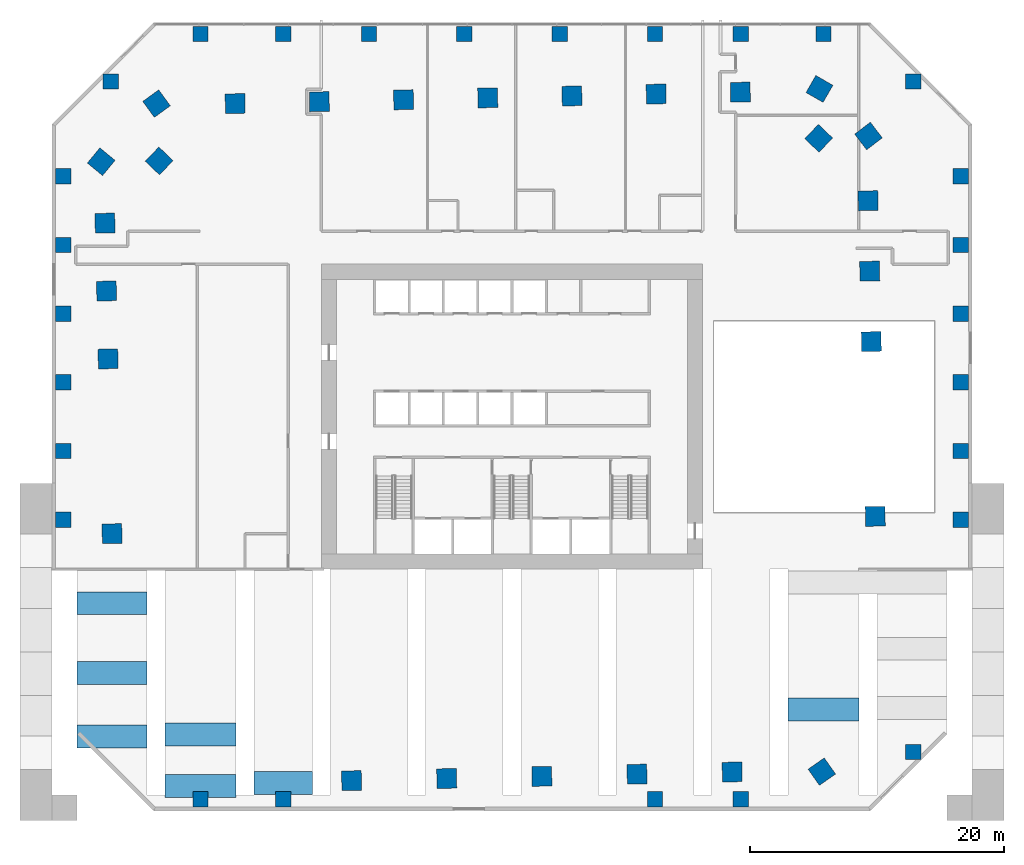
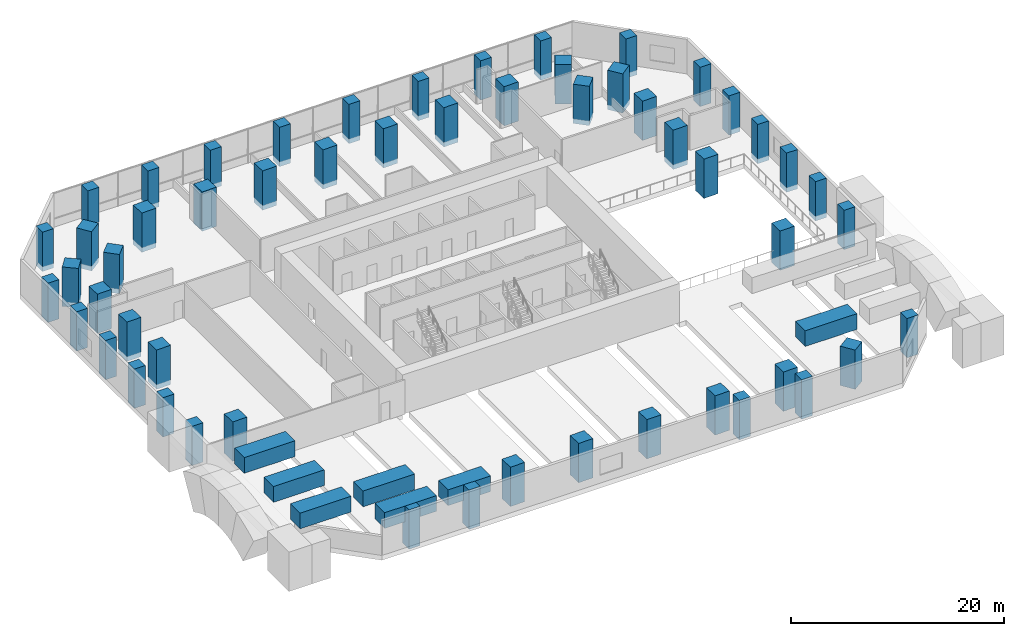
# One storey, part 1 of 13: 54 columns, 7 beams.
"""IFC4 building model written with IfcOpenShell, lengths in metres."""

from ifc_helpers import new_model, si_unit, direction, frame, origin, origin_2d, place, context, subcontext, project, spatial, rectangle, extrude, material, material_profile, profile_set, type_object, element, save


model = new_model("IFC4")

# Units and contexts
model_context = context("Model", 3, precision=1e-05, world=origin(), true_north=direction((0.0, 1.0)))
body_context = subcontext(model_context, "Body", "Model", "MODEL_VIEW")
ifc_project = project(units=[si_unit("LENGTHUNIT", "METRE"), si_unit("AREAUNIT", "SQUARE_METRE"), si_unit("VOLUMEUNIT", "CUBIC_METRE"), si_unit("PLANEANGLEUNIT", "RADIAN"), si_unit("MASSUNIT", "GRAM", prefix="KILO")], contexts=[model_context])

# Site, building, storey
site_placement = place(None, origin())
site = spatial("IfcSite", under=ifc_project, at=site_placement, CompositionType="ELEMENT")
building_placement = place(site_placement, origin())
building = spatial("IfcBuilding", under=site, at=building_placement, Name="Mangrove Gate Tower", CompositionType="ELEMENT")
storey_placement = place(building_placement, frame((0.0, 0.0, 20.5)))
storey = spatial("IfcBuildingStorey", under=building, at=storey_placement, Name="L04", CompositionType="ELEMENT", Elevation=20.5)

# Columns
ifc_material_1 = material(Name="Concrete C50/60", Category="concrete")
ifc_material_profile_1 = material_profile(ifc_material_1, rectangle(XDim=1.199951171875, YDim=1.199951171875, at=origin_2d()))
ifc_profile_set_1 = profile_set([ifc_material_profile_1], Name="Concrete C50/60")
column_type_1 = type_object("IfcColumnType", Name="Column RC 1200x1200 C50/60", PredefinedType="COLUMN", material=ifc_profile_set_1)
for number, where, z_axis, x_axis, name in (
    (1, (-24.5, -30.10009765625, -0.550048828125), (0.0, 0.0, 1.0), (1.0, 0.0, 0.0), "Column L04 PS00"),
    (2, (-24.5, 30.10009765625, -0.550048828125), (0.0, 0.0, 1.0), (1.0, 0.0, 0.0), "Column L04 PN01"),
    (3, (-18.0, -30.10009765625, -0.550048828125), (0.0, 0.0, 1.0), (1.0, 0.0, 0.0), "Column L04 PS02"),
    (4, (-18.0, 30.10009765625, -0.550048828125), (0.0, 0.0, 1.0), (1.0, 0.0, 0.0), "Column L04 PN03"),
    (5, (-11.25, 30.10009765625, -0.550048828125), (0.0, 0.0, 1.0), (1.0, 0.0, 0.0), "Column L04 PN05"),
    (6, (-3.75, 30.10009765625, -0.550048828125), (0.0, 0.0, 1.0), (1.0, 0.0, 0.0), "Column L04 PN07"),
    (7, (3.75, 30.10009765625, -0.550048828125), (0.0, 0.0, 1.0), (1.0, 0.0, 0.0), "Column L04 PN09"),
    (8, (11.25, -30.10009765625, -0.550048828125), (0.0, 0.0, 1.0), (1.0, 0.0, 0.0), "Column L04 PS10"),
    (9, (11.25, 30.10009765625, -0.550048828125), (0.0, 0.0, 1.0), (1.0, 0.0, 0.0), "Column L04 PN11"),
    (10, (18.0, -30.10009765625, -0.550048828125), (0.0, 0.0, 1.0), (1.0, 0.0, 0.0), "Column L04 PS12"),
    (11, (18.0, 30.10009765625, -0.550048828125), (0.0, 0.0, 1.0), (1.0, 0.0, 0.0), "Column L04 PN13"),
    (12, (24.5, 30.10009765625, -0.550048828125), (0.0, 0.0, 1.0), (1.0, 0.0, 0.0), "Column L04 PN15"),
    (13, (35.300048828125, -8.10009765625, -0.550048828125), (0.0, 0.0, 1.0), (1.0, 0.0, 0.0), "Column L04 PE20"),
    (14, (-35.300048828125, -8.10009765625, -0.550048828125), (0.0, 0.0, 1.0), (1.0, 0.0, 0.0), "Column L04 PW21"),
    (15, (35.300048828125, -2.699951171875, -0.550048828125), (0.0, 0.0, 1.0), (1.0, 0.0, 0.0), "Column L04 PE22"),
    (16, (-35.300048828125, -2.699951171875, -0.550048828125), (0.0, 0.0, 1.0), (1.0, 0.0, 0.0), "Column L04 PW23"),
    (17, (35.300048828125, 2.699951171875, -0.550048828125), (0.0, 0.0, 1.0), (1.0, 0.0, 0.0), "Column L04 PE24"),
    (18, (-35.300048828125, 2.699951171875, -0.550048828125), (0.0, 0.0, 1.0), (1.0, 0.0, 0.0), "Column L04 PW25"),
    (19, (35.300048828125, 8.10009765625, -0.550048828125), (0.0, 0.0, 1.0), (1.0, 0.0, 0.0), "Column L04 PE26"),
    (20, (-35.300048828125, 8.10009765625, -0.550048828125), (0.0, 0.0, 1.0), (1.0, 0.0, 0.0), "Column L04 PW27"),
    (21, (35.300048828125, 13.5, -0.550048828125), (0.0, 0.0, 1.0), (1.0, 0.0, 0.0), "Column L04 PE28"),
    (22, (-35.300048828125, 13.5, -0.550048828125), (0.0, 0.0, 1.0), (1.0, 0.0, 0.0), "Column L04 PW29"),
    (23, (35.300048828125, 18.89990234375, -0.550048828125), (0.0, 0.0, 1.0), (1.0, 0.0, 0.0), "Column L04 PE30"),
    (24, (-35.300048828125, 18.89990234375, -0.550048828125), (0.0, 0.0, 1.0), (1.0, 0.0, 0.0), "Column L04 PW31"),
    (25, (31.570068359375, 26.3701171875, -0.550048828125), (0.0, 0.0, 1.0), (1.0, 0.0, 0.0), "Column L04 PD32"),
    (26, (31.570068359375, -26.3701171875, -0.550048828125), (0.0, 0.0, 1.0), (1.0, 0.0, 0.0), "Column L04 PD33"),
    (27, (-31.570068359375, 26.3701171875, -0.550048828125), (0.0, 0.0, 1.0), (1.0, 0.0, 0.0), "Column L04 PD34"),
):
    element("IfcColumn", number, at=place(storey_placement, frame(where, z_axis=z_axis, x_axis=x_axis)), inside=storey, type_object=column_type_1, Name=name, PredefinedType="COLUMN", context=body_context, shape_type="SweptSolid", body=[
        extrude(rectangle(XDim=1.199951171875, YDim=1.199951171875, at=origin_2d()), origin(), (0.0, 0.0, 1.0), 4.5),
    ])
ifc_material_2 = material(Name="Concrete C70/85", Category="concrete")
ifc_material_profile_2 = material_profile(ifc_material_2, rectangle(XDim=1.550048828125, YDim=1.550048828125, at=origin_2d()))
ifc_profile_set_2 = profile_set([ifc_material_profile_2], Name="Concrete C70/85")
column_type_2 = type_object("IfcColumnType", Name="Column RC 1550x1550 C70/85", PredefinedType="COLUMN", material=ifc_profile_set_2)
for number, where, z_axis, x_axis, name in (
    (28, (-31.461181640625, -9.204345703125, -0.550048828125), (0.0, 0.0, 1.0), (0.022677684385, -0.999742828247, 0.0), "Column L04 W06"),
    (29, (-12.61962890625, -28.632080078125, -0.550048828125), (0.0, 0.0, 1.0), (0.999742076866, 0.022710784754, 0.0), "Column L04 S03"),
    (30, (-5.135498046875, -28.462158203125, -0.550048828125), (0.0, 0.0, 1.0), (0.999742111349, 0.022709266709, 0.0), "Column L04 S04"),
    (31, (2.348388671875, -28.292236328125, -0.550048828125), (0.0, 0.0, 1.0), (0.999742111349, 0.022709266709, 0.0), "Column L04 S05"),
    (32, (9.83251953125, -28.122314453125, -0.550048828125), (0.0, 0.0, 1.0), (0.999742076866, 0.022710784754, 0.0), "Column L04 S06"),
    (33, (17.3154296875, -27.9521484375, -0.550048828125), (0.0, 0.0, 1.0), (0.999743591179, 0.022644025629, 0.0), "Column L04 S07"),
    (34, (24.3720703125, -27.92333984375, -0.550048828125), (0.0, 0.0, 1.0), (0.818798537757, 0.574080965166, 0.0), "Column L04 S08"),
    (35, (28.5732421875, -7.842529296875, -0.550048828125), (0.0, 0.0, 1.0), (-0.022680668131, 0.999742760561, 0.0), "Column L04 E05"),
    (36, (28.26123046875, 5.904296875, -0.550048828125), (0.0, 0.0, 1.0), (-0.022703735442, 0.999742236978, 0.0), "Column L04 E06"),
    (37, (28.13525390625, 11.4443359375, -0.550048828125), (0.0, 0.0, 1.0), (-0.022645578574, 0.999743556004, 0.0), "Column L04 E07"),
    (38, (28.01025390625, 16.9853515625, -0.550048828125), (0.0, 0.0, 1.0), (-0.022645578574, 0.999743556004, 0.0), "Column L04 E08"),
    (39, (28.041015625, 22.0751953125, -0.550048828125), (0.0, 0.0, 1.0), (-0.60357593887, 0.797305516109, 0.0), "Column L04 E09"),
    (40, (24.12451171875, 21.8916015625, -0.550048828125), (0.0, 0.0, 1.0), (-0.723010312757, 0.690837236726, 0.0), "Column L04 E10"),
    (41, (24.18359375, 25.778564453125, -0.550048828125), (0.0, 0.0, 1.0), (-0.867550504106, 0.497349095531, 0.0), "Column L04 N01"),
    (42, (17.963623046875, 25.526123046875, -0.550048828125), (0.0, 0.0, 1.0), (-0.999741913532, -0.022717973655, 0.0), "Column L04 N02"),
    (43, (11.340576171875, 25.375244140625, -0.550048828125), (0.0, 0.0, 1.0), (-0.999741952388, -0.022716263674, 0.0), "Column L04 N03"),
    (44, (4.716552734375, 25.22509765625, -0.550048828125), (0.0, 0.0, 1.0), (-0.999743663498, -0.022640832496, 0.0), "Column L04 N04"),
    (45, (-1.906494140625, 25.0751953125, -0.550048828125), (0.0, 0.0, 1.0), (-0.999741913532, -0.022717973655, 0.0), "Column L04 N05"),
    (46, (-8.529296875, 24.92431640625, -0.550048828125), (0.0, 0.0, 1.0), (-0.999741952388, -0.022716263674, 0.0), "Column L04 N06"),
    (47, (-15.153564453125, 24.774169921875, -0.550048828125), (0.0, 0.0, 1.0), (-0.999743663498, -0.022640832496, 0.0), "Column L04 N07"),
    (48, (-21.7763671875, 24.624267578125, -0.550048828125), (0.0, 0.0, 1.0), (-0.999743624771, -0.02264254248, 0.0), "Column L04 N08"),
    (49, (-27.960693359375, 24.62255859375, -0.550048828125), (0.0, 0.0, 1.0), (-0.808269368168, -0.588812897686, 0.0), "Column L04 N09"),
    (50, (-27.752685546875, 20.114501953125, -0.550048828125), (0.0, 0.0, 1.0), (-0.690863130287, -0.722985570541, 0.0), "Column L04 W01"),
    (51, (-32.3134765625, 20.052734375, -0.550048828125), (0.0, 0.0, 1.0), (-0.63510539695, -0.772425488164, 0.0), "Column L04 W02"),
    (52, (-32.01513671875, 15.22265625, -0.550048828125), (0.0, 0.0, 1.0), (0.022746921185, -0.999741255314, 0.0), "Column L04 W03"),
    (53, (-31.894287109375, 9.882568359375, -0.550048828125), (0.0, 0.0, 1.0), (0.022653360746, -0.999743379696, 0.0), "Column L04 W04"),
    (54, (-31.773193359375, 4.54248046875, -0.550048828125), (0.0, 0.0, 1.0), (0.022679760793, -0.999742781144, 0.0), "Column L04 W05"),
):
    element("IfcColumn", number, at=place(storey_placement, frame(where, z_axis=z_axis, x_axis=x_axis)), inside=storey, type_object=column_type_2, Name=name, PredefinedType="COLUMN", context=body_context, shape_type="SweptSolid", body=[
        extrude(rectangle(XDim=1.550048828125, YDim=1.550048828125, at=origin_2d()), origin(), (0.0, 0.0, 1.0), 4.5),
    ])

# Beams
ifc_material_3 = material(Name="Concrete C60/75", Category="concrete")
ifc_material_profile_3 = material_profile(ifc_material_3, rectangle(XDim=1.800048828125, YDim=1.800048828125, at=origin_2d()))
ifc_profile_set_3 = profile_set([ifc_material_profile_3], Name="Concrete C60/75")
beam_type = type_object("IfcBeamType", Name="Transfer girder RC 1800x1800 C60/75", PredefinedType="BEAM", material=ifc_profile_set_3)
for number, where, z_axis, x_axis, name in (
    (55, (-34.199951171875, -14.678466796875, 3.050048828125), (1.0, 0.0, 0.0), (0.0, 1.0, 0.0), "Transfer girder L04 TG01"),
    (56, (-34.199951171875, -20.1513671875, 3.050048828125), (1.0, 0.0, 0.0), (0.0, 1.0, 0.0), "Transfer girder L04 TG02"),
    (57, (-34.199951171875, -25.157470703125, 3.050048828125), (1.0, 0.0, 0.0), (0.0, 1.0, 0.0), "Transfer girder L04 TG03"),
):
    element("IfcBeam", number, at=place(storey_placement, frame(where, z_axis=z_axis, x_axis=x_axis)), inside=storey, type_object=beam_type, Name=name, PredefinedType="BEAM", context=body_context, shape_type="SweptSolid", body=[
        extrude(rectangle(XDim=1.800048828125, YDim=1.800048828125, at=origin_2d()), origin(), (0.0, 0.0, 1.0), 5.5),
    ])
for number, where, z_axis, x_axis, name in (
    (58, (-27.300048828125, -24.986572265625, 3.050048828125), (1.0, 0.0, 0.0), (0.0, 1.0, 0.0), "Transfer girder L04 TG04"),
    (59, (-27.300048828125, -29.061767578125, 3.050048828125), (1.0, 0.0, 0.0), (0.0, 1.0, 0.0), "Transfer girder L04 TG05"),
):
    element("IfcBeam", number, at=place(storey_placement, frame(where, z_axis=z_axis, x_axis=x_axis)), inside=storey, type_object=beam_type, Name=name, PredefinedType="BEAM", context=body_context, shape_type="SweptSolid", body=[
        extrude(rectangle(XDim=1.800048828125, YDim=1.800048828125, at=origin_2d()), origin(), (0.0, 0.0, 1.0), 5.60009765625),
    ])
beam_1_placement = place(storey_placement, frame((-20.300048828125, -28.80224609375, 3.050048828125), z_axis=(1.0, 0.0, 0.0), x_axis=(0.0, 1.0, 0.0)))
element("IfcBeam", 60, at=beam_1_placement, inside=storey, type_object=beam_type, Name="Transfer girder L04 TG06", PredefinedType="BEAM", context=body_context, shape_type="SweptSolid", body=[
    extrude(rectangle(XDim=1.800048828125, YDim=1.800048828125, at=origin_2d()), origin(), (0.0, 0.0, 1.0), 4.60009765625),
])
beam_2_placement = place(storey_placement, frame((21.699951171875, -23.023681640625, 3.050048828125), z_axis=(1.0, 0.0, 0.0), x_axis=(0.0, 1.0, 0.0)))
element("IfcBeam", 61, at=beam_2_placement, inside=storey, type_object=beam_type, Name="Transfer girder L04 TG07", PredefinedType="BEAM", context=body_context, shape_type="SweptSolid", body=[
    extrude(rectangle(XDim=1.800048828125, YDim=1.800048828125, at=origin_2d()), origin(), (0.0, 0.0, 1.0), 5.60009765625),
])

save(model, "model.ifc")
